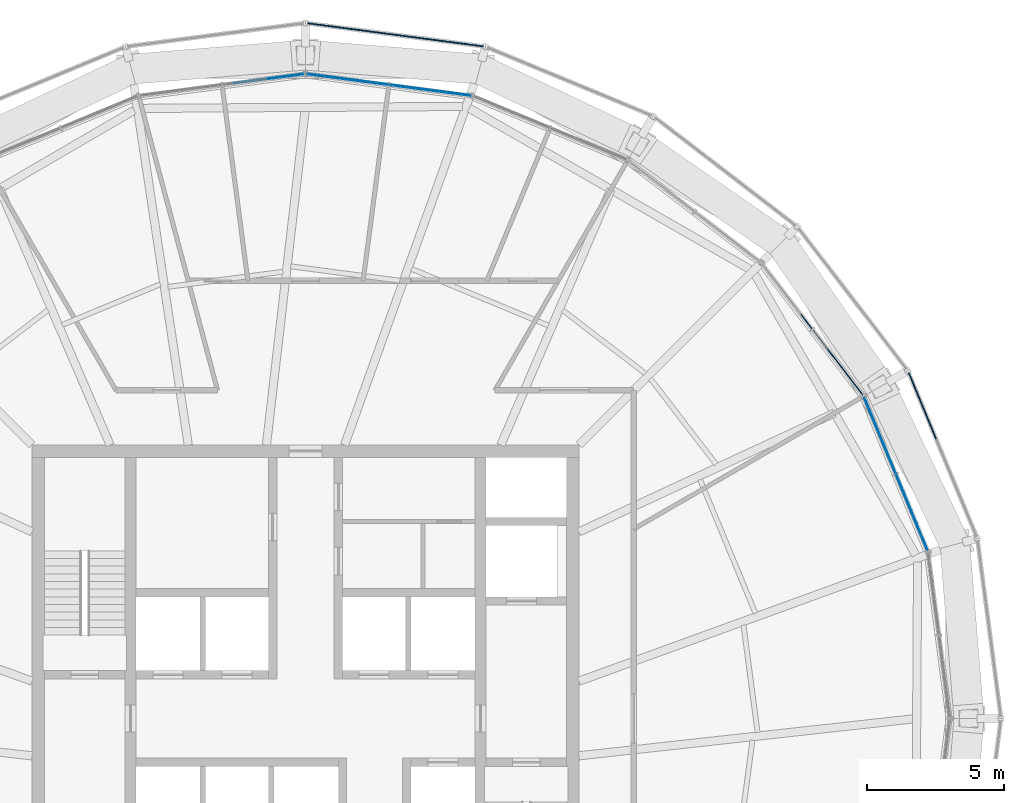
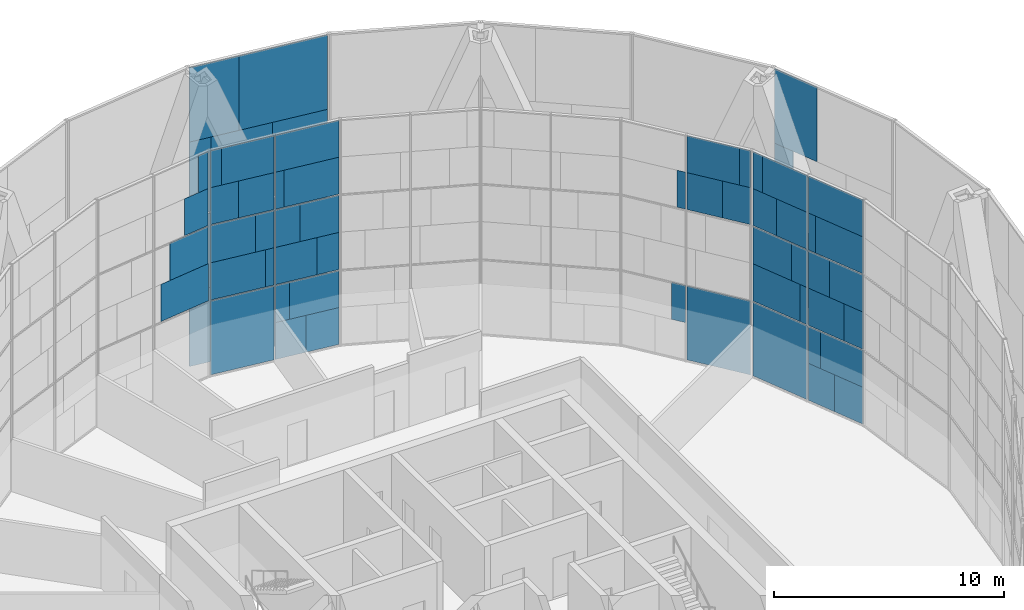
# One storey, part 21 of 26: 64 plates, 6 elements without a shape of their own.
"""IFC4 building model written with IfcOpenShell, lengths in metres."""

from ifc_helpers import new_model, si_unit, direction, frame, origin, origin_2d, place, context, subcontext, project, spatial, rectangle, extrude, material, layer, layer_set, type_object, element, aggregate, save


model = new_model("IFC4")

# Units and contexts
model_context = context("Model", 3, precision=1e-05, world=origin(), true_north=direction((0.0, 1.0)))
body_context = subcontext(model_context, "Body", "Model", "MODEL_VIEW")
ifc_project = project(units=[si_unit("LENGTHUNIT", "METRE"), si_unit("AREAUNIT", "SQUARE_METRE"), si_unit("VOLUMEUNIT", "CUBIC_METRE"), si_unit("PLANEANGLEUNIT", "RADIAN"), si_unit("MASSUNIT", "GRAM", prefix="KILO")], contexts=[model_context])

# Site, building, storey
site_placement = place(None, origin())
site = spatial("IfcSite", under=ifc_project, at=site_placement, CompositionType="ELEMENT")
building_placement = place(site_placement, origin())
building = spatial("IfcBuilding", under=site, at=building_placement, Name="Golbaran Civic Tower", CompositionType="ELEMENT")
storey_placement = place(building_placement, frame((0.0, 0.0, 199.0)))
storey = spatial("IfcBuildingStorey", under=building, at=storey_placement, Name="L48", CompositionType="ELEMENT", Elevation=199.0)

# Curtain wall, plates
ifc_material_1 = material(Name="Aluminium and glass", Category="aluminium")
curtain_wall_type_1 = type_object("IfcCurtainWallType", Name="INNER SKIN CURTAIN WALL EXECUTIVE", PredefinedType="NOTDEFINED", material=ifc_material_1)
curtain_wall_1_placement = place(storey_placement, origin())
curtain_wall_1 = element("IfcCurtainWall", 1, at=curtain_wall_1_placement, inside=storey, type_object=curtain_wall_type_1, Name="Inner skin L48 facet 2 CW2", ObjectType="INNER SKIN", PredefinedType="USERDEFINED")
ifc_material_2 = material(Name="Clear insulating glass", Category="glass")
ifc_layer_1 = layer(ifc_material_2, 0.031982421875, Name="Clear insulating glass")
ifc_layer_set_1 = layer_set([ifc_layer_1], Name="Clear insulating glass")
plate_type_1 = type_object("IfcPlateType", Name="INNER SKIN CURTAIN WALL EXECUTIVE GLAZED PANEL", PredefinedType="CURTAIN_PANEL", material=ifc_layer_set_1)
plate_1_placement = place(storey_placement, frame((21.87255859375, 8.251708984375, 0.06005859375), z_axis=(0.0, 0.0, 1.0), x_axis=(-0.382683432349, 0.923879532518, 0.0)))
plate_1 = element("IfcPlate", 2, at=plate_1_placement, type_object=plate_type_1, Name="CW2 panel 1.1 part 2", PredefinedType="CURTAIN_PANEL", context=body_context, shape_type="SweptSolid", body=[
    extrude(rectangle(XDim=1.43310546875, YDim=0.031982421875, at=origin_2d()), origin(), (0.0, 0.0, 1.0), 1.955078125),
])
plate_2_placement = place(storey_placement, frame((21.723388671875, 8.611572265625, 2.014892578125), z_axis=(0.0, 0.0, 1.0), x_axis=(-0.382683432349, 0.923879532518, 0.0)))
plate_2 = element("IfcPlate", 3, at=plate_2_placement, type_object=plate_type_1, Name="CW2 panel 1.1 part 4", PredefinedType="CURTAIN_PANEL", context=body_context, shape_type="SweptSolid", body=[
    extrude(rectangle(XDim=0.654052734375, YDim=0.031982421875, at=origin_2d()), origin(), (0.0, 0.0, 1.0), 1.955078125),
])
plate_3_placement = place(storey_placement, frame((22.54248046875, 6.634033203125, 4.02978515625), z_axis=(0.0, 0.0, 1.0), x_axis=(-0.382683432349, 0.923879532518, 0.0)))
plate_3 = element("IfcPlate", 4, at=plate_3_placement, type_object=plate_type_1, Name="CW2 panel 1.2 part 1", PredefinedType="CURTAIN_PANEL", context=body_context, shape_type="SweptSolid", body=[
    extrude(rectangle(XDim=1.037109375, YDim=0.031982421875, at=origin_2d()), origin(), (0.0, 0.0, 1.0), 1.969970703125),
])
plate_4_placement = place(storey_placement, frame((22.392333984375, 6.99658203125, 6.0), z_axis=(0.0, 0.0, 1.0), x_axis=(-0.382683432349, 0.923879532518, 0.0)))
plate_4 = element("IfcPlate", 5, at=plate_4_placement, type_object=plate_type_1, Name="CW2 panel 1.2 part 3", PredefinedType="CURTAIN_PANEL", context=body_context, shape_type="SweptSolid", body=[
    extrude(rectangle(XDim=1.822021484375, YDim=0.031982421875, at=origin_2d()), origin(), (0.0, 0.0, 1.0), 1.969970703125),
])
plate_5_placement = place(storey_placement, frame((22.246337890625, 7.34912109375, 8.030029296875), z_axis=(0.0, 0.0, 1.0), x_axis=(-0.382683432349, 0.923879532518, 0.0)))
plate_5 = element("IfcPlate", 6, at=plate_5_placement, type_object=plate_type_1, Name="CW2 panel 1.3 part 1", PredefinedType="CURTAIN_PANEL", context=body_context, shape_type="SweptSolid", body=[
    extrude(rectangle(XDim=2.5849609375, YDim=0.031982421875, at=origin_2d()), origin(), (0.0, 0.0, 1.0), 1.955078125),
])
plate_6_placement = place(storey_placement, frame((22.169677734375, 7.534423828125, 9.98486328125), z_axis=(0.0, 0.0, 1.0), x_axis=(-0.382683432349, 0.923879532518, 0.0)))
plate_6 = element("IfcPlate", 7, at=plate_6_placement, type_object=plate_type_1, Name="CW2 panel 1.3 part 3", PredefinedType="CURTAIN_PANEL", context=body_context, shape_type="SweptSolid", body=[
    extrude(rectangle(XDim=2.986083984375, YDim=0.031982421875, at=origin_2d()), origin(), (0.0, 0.0, 1.0), 1.955078125),
])
plate_7_placement = place(storey_placement, frame((21.00390625, 10.3486328125, 0.06005859375), z_axis=(0.0, 0.0, 1.0), x_axis=(-0.382683432349, 0.923879532518, 0.0)))
plate_7 = element("IfcPlate", 8, at=plate_7_placement, type_object=plate_type_1, Name="CW2 panel 2.1", PredefinedType="CURTAIN_PANEL", context=body_context, shape_type="SweptSolid", body=[
    extrude(rectangle(XDim=2.986083984375, YDim=0.031982421875, at=origin_2d()), origin(), (0.0, 0.0, 1.0), 3.909912109375),
])
plate_8_placement = place(storey_placement, frame((20.927490234375, 10.533447265625, 4.02978515625), z_axis=(0.0, 0.0, 1.0), x_axis=(-0.382683432349, 0.923879532518, 0.0)))
plate_8 = element("IfcPlate", 9, at=plate_8_placement, type_object=plate_type_1, Name="CW2 panel 2.2 part 2", PredefinedType="CURTAIN_PANEL", context=body_context, shape_type="SweptSolid", body=[
    extrude(rectangle(XDim=2.586181640625, YDim=0.031982421875, at=origin_2d()), origin(), (0.0, 0.0, 1.0), 1.969970703125),
])
plate_9_placement = place(storey_placement, frame((20.835693359375, 10.754638671875, 6.0), z_axis=(0.0, 0.0, 1.0), x_axis=(-0.382683432349, 0.923879532518, 0.0)))
plate_9 = element("IfcPlate", 10, at=plate_9_placement, type_object=plate_type_1, Name="CW2 panel 2.2 part 4", PredefinedType="CURTAIN_PANEL", context=body_context, shape_type="SweptSolid", body=[
    extrude(rectangle(XDim=2.107177734375, YDim=0.031982421875, at=origin_2d()), origin(), (0.0, 0.0, 1.0), 1.969970703125),
])
plate_10_placement = place(storey_placement, frame((20.68212890625, 11.125732421875, 8.030029296875), z_axis=(0.0, 0.0, 1.0), x_axis=(-0.382683432349, 0.923879532518, 0.0)))
plate_10 = element("IfcPlate", 11, at=plate_10_placement, type_object=plate_type_1, Name="CW2 panel 2.3 part 2", PredefinedType="CURTAIN_PANEL", context=body_context, shape_type="SweptSolid", body=[
    extrude(rectangle(XDim=1.30419921875, YDim=0.031982421875, at=origin_2d()), origin(), (0.0, 0.0, 1.0), 1.955078125),
])
plate_11_placement = place(storey_placement, frame((20.532958984375, 11.485595703125, 9.98486328125), z_axis=(0.0, 0.0, 1.0), x_axis=(-0.382683432349, 0.923879532518, 0.0)))
plate_11 = element("IfcPlate", 12, at=plate_11_placement, type_object=plate_type_1, Name="CW2 panel 2.3 part 4", PredefinedType="CURTAIN_PANEL", context=body_context, shape_type="SweptSolid", body=[
    extrude(rectangle(XDim=0.525146484375, YDim=0.031982421875, at=origin_2d()), origin(), (0.0, 0.0, 1.0), 1.955078125),
])

curtain_wall_2_placement = place(storey_placement, origin())
curtain_wall_2 = element("IfcCurtainWall", 13, at=curtain_wall_2_placement, inside=storey, type_object=curtain_wall_type_1, Name="Inner skin L48 facet 3 CW2", ObjectType="INNER SKIN", PredefinedType="USERDEFINED")
plate_12_placement = place(storey_placement, frame((19.464111328125, 13.015625, 0.06005859375), z_axis=(0.0, 0.0, 1.0), x_axis=(-0.60876142905, 0.793353340259, 0.0)))
plate_12 = element("IfcPlate", 14, at=plate_12_placement, type_object=plate_type_1, Name="CW2 panel 1.1", PredefinedType="CURTAIN_PANEL", context=body_context, shape_type="SweptSolid", body=[
    extrude(rectangle(XDim=2.986083984375, YDim=0.031982421875, at=origin_2d()), origin(), (0.0, 0.0, 1.0), 3.909912109375),
])
plate_13_placement = place(storey_placement, frame((19.97607421875, 12.348388671875, 8.030029296875), z_axis=(0.0, 0.0, 1.0), x_axis=(-0.60876142905, 0.793353340259, 0.0)))
plate_13 = element("IfcPlate", 15, at=plate_13_placement, type_object=plate_type_1, Name="CW2 panel 1.3 part 1", PredefinedType="CURTAIN_PANEL", context=body_context, shape_type="SweptSolid", body=[
    extrude(rectangle(XDim=1.303955078125, YDim=0.031982421875, at=origin_2d()), origin(), (0.0, 0.0, 1.0), 1.955078125),
])
plate_14_placement = place(storey_placement, frame((20.21337890625, 12.039306640625, 9.98486328125), z_axis=(0.0, 0.0, 1.0), x_axis=(-0.60876142905, 0.793353340259, 0.0)))
plate_14 = element("IfcPlate", 16, at=plate_14_placement, type_object=plate_type_1, Name="CW2 panel 1.3 part 3", PredefinedType="CURTAIN_PANEL", context=body_context, shape_type="SweptSolid", body=[
    extrude(rectangle(XDim=0.52490234375, YDim=0.031982421875, at=origin_2d()), origin(), (0.0, 0.0, 1.0), 1.955078125),
])
plate_15_placement = place(storey_placement, frame((18.319580078125, 14.507080078125, 2.014892578125), z_axis=(0.0, 0.0, 1.0), x_axis=(-0.60876142905, 0.793353340259, 0.0)))
plate_15 = element("IfcPlate", 17, at=plate_15_placement, type_object=plate_type_1, Name="CW2 panel 2.1 part 3", PredefinedType="CURTAIN_PANEL", context=body_context, shape_type="SweptSolid", body=[
    extrude(rectangle(XDim=0.654052734375, YDim=0.031982421875, at=origin_2d()), origin(), (0.0, 0.0, 1.0), 1.955078125),
])

curtain_wall_3_placement = place(storey_placement, origin())
curtain_wall_3 = element("IfcCurtainWall", 18, at=curtain_wall_3_placement, inside=storey, type_object=curtain_wall_type_1, Name="Inner skin L48 facet 6 CW2", ObjectType="INNER SKIN", PredefinedType="USERDEFINED")
plate_16_placement = place(storey_placement, frame((3.7900390625, 23.068115234375, 0.06005859375), z_axis=(0.0, 0.0, 1.0), x_axis=(-0.991444861372, 0.130526192237, 0.0)))
plate_16 = element("IfcPlate", 19, at=plate_16_placement, type_object=plate_type_1, Name="CW2 panel 1.1 part 2", PredefinedType="CURTAIN_PANEL", context=body_context, shape_type="SweptSolid", body=[
    extrude(rectangle(XDim=1.43310546875, YDim=0.031982421875, at=origin_2d()), origin(), (0.0, 0.0, 1.0), 1.955078125),
])
plate_17_placement = place(storey_placement, frame((3.40380859375, 23.118896484375, 2.014892578125), z_axis=(0.0, 0.0, 1.0), x_axis=(-0.991444861372, 0.130526192237, 0.0)))
plate_17 = element("IfcPlate", 20, at=plate_17_placement, type_object=plate_type_1, Name="CW2 panel 1.1 part 4", PredefinedType="CURTAIN_PANEL", context=body_context, shape_type="SweptSolid", body=[
    extrude(rectangle(XDim=0.654052734375, YDim=0.031982421875, at=origin_2d()), origin(), (0.0, 0.0, 1.0), 1.955078125),
])
plate_18_placement = place(storey_placement, frame((5.526123046875, 22.839599609375, 4.02978515625), z_axis=(0.0, 0.0, 1.0), x_axis=(-0.991444861372, 0.130526192237, 0.0)))
plate_18 = element("IfcPlate", 21, at=plate_18_placement, type_object=plate_type_1, Name="CW2 panel 1.2 part 1", PredefinedType="CURTAIN_PANEL", context=body_context, shape_type="SweptSolid", body=[
    extrude(rectangle(XDim=1.037109375, YDim=0.031982421875, at=origin_2d()), origin(), (0.0, 0.0, 1.0), 1.969970703125),
])
plate_19_placement = place(storey_placement, frame((5.136962890625, 22.890625, 6.0), z_axis=(0.0, 0.0, 1.0), x_axis=(-0.991444861372, 0.130526192237, 0.0)))
plate_19 = element("IfcPlate", 22, at=plate_19_placement, type_object=plate_type_1, Name="CW2 panel 1.2 part 3", PredefinedType="CURTAIN_PANEL", context=body_context, shape_type="SweptSolid", body=[
    extrude(rectangle(XDim=1.822021484375, YDim=0.031982421875, at=origin_2d()), origin(), (0.0, 0.0, 1.0), 1.969970703125),
])
plate_20_placement = place(storey_placement, frame((4.758544921875, 22.9404296875, 8.030029296875), z_axis=(0.0, 0.0, 1.0), x_axis=(-0.991444861372, 0.130526192237, 0.0)))
plate_20 = element("IfcPlate", 23, at=plate_20_placement, type_object=plate_type_1, Name="CW2 panel 1.3 part 1", PredefinedType="CURTAIN_PANEL", context=body_context, shape_type="SweptSolid", body=[
    extrude(rectangle(XDim=2.5849609375, YDim=0.031982421875, at=origin_2d()), origin(), (0.0, 0.0, 1.0), 1.955078125),
])
plate_21_placement = place(storey_placement, frame((4.559814453125, 22.966796875, 9.98486328125), z_axis=(0.0, 0.0, 1.0), x_axis=(-0.991444861372, 0.130526192237, 0.0)))
plate_21 = element("IfcPlate", 24, at=plate_21_placement, type_object=plate_type_1, Name="CW2 panel 1.3 part 3", PredefinedType="CURTAIN_PANEL", context=body_context, shape_type="SweptSolid", body=[
    extrude(rectangle(XDim=2.986083984375, YDim=0.031982421875, at=origin_2d()), origin(), (0.0, 0.0, 1.0), 1.955078125),
])
plate_22_placement = place(storey_placement, frame((1.539794921875, 23.3642578125, 0.06005859375), z_axis=(0.0, 0.0, 1.0), x_axis=(-0.991444861372, 0.130526192237, 0.0)))
plate_22 = element("IfcPlate", 25, at=plate_22_placement, type_object=plate_type_1, Name="CW2 panel 2.1", PredefinedType="CURTAIN_PANEL", context=body_context, shape_type="SweptSolid", body=[
    extrude(rectangle(XDim=2.986083984375, YDim=0.031982421875, at=origin_2d()), origin(), (0.0, 0.0, 1.0), 3.909912109375),
])
plate_23_placement = place(storey_placement, frame((1.341552734375, 23.390380859375, 4.02978515625), z_axis=(0.0, 0.0, 1.0), x_axis=(-0.991444861372, 0.130526192237, 0.0)))
plate_23 = element("IfcPlate", 26, at=plate_23_placement, type_object=plate_type_1, Name="CW2 panel 2.2 part 2", PredefinedType="CURTAIN_PANEL", context=body_context, shape_type="SweptSolid", body=[
    extrude(rectangle(XDim=2.586181640625, YDim=0.031982421875, at=origin_2d()), origin(), (0.0, 0.0, 1.0), 1.969970703125),
])
plate_24_placement = place(storey_placement, frame((1.10400390625, 23.421630859375, 6.0), z_axis=(0.0, 0.0, 1.0), x_axis=(-0.991444861372, 0.130526192237, 0.0)))
plate_24 = element("IfcPlate", 27, at=plate_24_placement, type_object=plate_type_1, Name="CW2 panel 2.2 part 4", PredefinedType="CURTAIN_PANEL", context=body_context, shape_type="SweptSolid", body=[
    extrude(rectangle(XDim=2.107177734375, YDim=0.031982421875, at=origin_2d()), origin(), (0.0, 0.0, 1.0), 1.969970703125),
])
plate_25_placement = place(storey_placement, frame((0.7060546875, 23.47412109375, 8.030029296875), z_axis=(0.0, 0.0, 1.0), x_axis=(-0.991444861372, 0.130526192237, 0.0)))
plate_25 = element("IfcPlate", 28, at=plate_25_placement, type_object=plate_type_1, Name="CW2 panel 2.3 part 2", PredefinedType="CURTAIN_PANEL", context=body_context, shape_type="SweptSolid", body=[
    extrude(rectangle(XDim=1.30419921875, YDim=0.031982421875, at=origin_2d()), origin(), (0.0, 0.0, 1.0), 1.955078125),
])
plate_26_placement = place(storey_placement, frame((0.31982421875, 23.52490234375, 9.98486328125), z_axis=(0.0, 0.0, 1.0), x_axis=(-0.991444861372, 0.130526192237, 0.0)))
plate_26 = element("IfcPlate", 29, at=plate_26_placement, type_object=plate_type_1, Name="CW2 panel 2.3 part 4", PredefinedType="CURTAIN_PANEL", context=body_context, shape_type="SweptSolid", body=[
    extrude(rectangle(XDim=0.525146484375, YDim=0.031982421875, at=origin_2d()), origin(), (0.0, 0.0, 1.0), 1.955078125),
])

curtain_wall_4_placement = place(storey_placement, origin())
curtain_wall_4 = element("IfcCurtainWall", 30, at=curtain_wall_4_placement, inside=storey, type_object=curtain_wall_type_1, Name="Inner skin L48 facet 7 CW2", ObjectType="INNER SKIN", PredefinedType="USERDEFINED")
plate_27_placement = place(storey_placement, frame((-1.3408203125, 23.390380859375, 4.02978515625), z_axis=(0.0, 0.0, 1.0), x_axis=(-0.991444861372, -0.130526192237, 0.0)))
plate_27 = element("IfcPlate", 31, at=plate_27_placement, type_object=plate_type_1, Name="CW2 panel 1.2 part 1", PredefinedType="CURTAIN_PANEL", context=body_context, shape_type="SweptSolid", body=[
    extrude(rectangle(XDim=2.5849609375, YDim=0.031982421875, at=origin_2d()), origin(), (0.0, 0.0, 1.0), 1.969970703125),
])
plate_28_placement = place(storey_placement, frame((-1.10400390625, 23.421630859375, 6.0), z_axis=(0.0, 0.0, 1.0), x_axis=(-0.991444861372, -0.130526192237, 0.0)))
plate_28 = element("IfcPlate", 32, at=plate_28_placement, type_object=plate_type_1, Name="CW2 panel 1.2 part 3", PredefinedType="CURTAIN_PANEL", context=body_context, shape_type="SweptSolid", body=[
    extrude(rectangle(XDim=2.10693359375, YDim=0.031982421875, at=origin_2d()), origin(), (0.0, 0.0, 1.0), 1.969970703125),
])
plate_29_placement = place(storey_placement, frame((-0.705810546875, 23.47412109375, 8.030029296875), z_axis=(0.0, 0.0, 1.0), x_axis=(-0.991444861372, -0.130526192237, 0.0)))
plate_29 = element("IfcPlate", 33, at=plate_29_placement, type_object=plate_type_1, Name="CW2 panel 1.3 part 1", PredefinedType="CURTAIN_PANEL", context=body_context, shape_type="SweptSolid", body=[
    extrude(rectangle(XDim=1.303955078125, YDim=0.031982421875, at=origin_2d()), origin(), (0.0, 0.0, 1.0), 1.955078125),
])
plate_30_placement = place(storey_placement, frame((-0.31982421875, 23.52490234375, 9.98486328125), z_axis=(0.0, 0.0, 1.0), x_axis=(-0.991444861372, -0.130526192237, 0.0)))
plate_30 = element("IfcPlate", 34, at=plate_30_placement, type_object=plate_type_1, Name="CW2 panel 1.3 part 3", PredefinedType="CURTAIN_PANEL", context=body_context, shape_type="SweptSolid", body=[
    extrude(rectangle(XDim=0.52490234375, YDim=0.031982421875, at=origin_2d()), origin(), (0.0, 0.0, 1.0), 1.955078125),
])
aggregate(curtain_wall_4, [plate_27, plate_28, plate_29, plate_30])

# Plate
ifc_material_3 = material(Name="Aluminium faced opaque infill panel", Category="aluminium")
ifc_layer_2 = layer(ifc_material_3, 0.031982421875, Name="Aluminium faced opaque infill panel")
ifc_layer_set_2 = layer_set([ifc_layer_2], Name="Aluminium faced opaque infill panel")
plate_type_2 = type_object("IfcPlateType", Name="INNER SKIN CURTAIN WALL EXECUTIVE OPAQUE INFILL PANEL", PredefinedType="CURTAIN_PANEL", material=ifc_layer_set_2)
plate_31_placement = place(storey_placement, frame((22.44384765625, 6.872314453125, 0.06005859375), z_axis=(0.0, 0.0, 1.0), x_axis=(-0.382683432349, 0.923879532518, 0.0)))
plate_31 = element("IfcPlate", 35, at=plate_31_placement, type_object=plate_type_2, Name="CW2 infill panel 1.1 part 1", PredefinedType="CURTAIN_PANEL", context=body_context, shape_type="SweptSolid", body=[
    extrude(rectangle(XDim=1.552978515625, YDim=0.031982421875, at=origin_2d()), origin(), (0.0, 0.0, 1.0), 1.955078125),
])

plate_32_placement = place(storey_placement, frame((22.294921875, 7.232177734375, 2.014892578125), z_axis=(0.0, 0.0, 1.0), x_axis=(-0.382683432349, 0.923879532518, 0.0)))
plate_32 = element("IfcPlate", 36, at=plate_32_placement, type_object=plate_type_2, Name="CW2 infill panel 1.1 part 3", PredefinedType="CURTAIN_PANEL", context=body_context, shape_type="SweptSolid", body=[
    extrude(rectangle(XDim=2.33203125, YDim=0.031982421875, at=origin_2d()), origin(), (0.0, 0.0, 1.0), 1.955078125),
])

plate_33_placement = place(storey_placement, frame((21.97119140625, 8.013427734375, 4.02978515625), z_axis=(0.0, 0.0, 1.0), x_axis=(-0.382683432349, 0.923879532518, 0.0)))
plate_33 = element("IfcPlate", 37, at=plate_33_placement, type_object=plate_type_2, Name="CW2 infill panel 1.2 part 2", PredefinedType="CURTAIN_PANEL", context=body_context, shape_type="SweptSolid", body=[
    extrude(rectangle(XDim=1.94921875, YDim=0.031982421875, at=origin_2d()), origin(), (0.0, 0.0, 1.0), 1.969970703125),
])

plate_34_placement = place(storey_placement, frame((21.821044921875, 8.3759765625, 6.0), z_axis=(0.0, 0.0, 1.0), x_axis=(-0.382683432349, 0.923879532518, 0.0)))
plate_34 = element("IfcPlate", 38, at=plate_34_placement, type_object=plate_type_2, Name="CW2 infill panel 1.2 part 4", PredefinedType="CURTAIN_PANEL", context=body_context, shape_type="SweptSolid", body=[
    extrude(rectangle(XDim=1.1640625, YDim=0.031982421875, at=origin_2d()), origin(), (0.0, 0.0, 1.0), 1.969970703125),
])

plate_35_placement = place(storey_placement, frame((21.675048828125, 8.728515625, 8.030029296875), z_axis=(0.0, 0.0, 1.0), x_axis=(-0.382683432349, 0.923879532518, 0.0)))
plate_35 = element("IfcPlate", 39, at=plate_35_placement, type_object=plate_type_2, Name="CW2 infill panel 1.3 part 2", PredefinedType="CURTAIN_PANEL", context=body_context, shape_type="SweptSolid", body=[
    extrude(rectangle(XDim=0.401123046875, YDim=0.031982421875, at=origin_2d()), origin(), (0.0, 0.0, 1.0), 1.955078125),
])

plate_36_placement = place(storey_placement, frame((21.498779296875, 9.154052734375, 4.02978515625), z_axis=(0.0, 0.0, 1.0), x_axis=(-0.382683432349, 0.923879532518, 0.0)))
plate_36 = element("IfcPlate", 40, at=plate_36_placement, type_object=plate_type_2, Name="CW2 infill panel 2.2 part 1", PredefinedType="CURTAIN_PANEL", context=body_context, shape_type="SweptSolid", body=[
    extrude(rectangle(XDim=0.39990234375, YDim=0.031982421875, at=origin_2d()), origin(), (0.0, 0.0, 1.0), 1.969970703125),
])

plate_37_placement = place(storey_placement, frame((21.4072265625, 9.375244140625, 6.0), z_axis=(0.0, 0.0, 1.0), x_axis=(-0.382683432349, 0.923879532518, 0.0)))
plate_37 = element("IfcPlate", 41, at=plate_37_placement, type_object=plate_type_2, Name="CW2 infill panel 2.2 part 3", PredefinedType="CURTAIN_PANEL", context=body_context, shape_type="SweptSolid", body=[
    extrude(rectangle(XDim=0.87890625, YDim=0.031982421875, at=origin_2d()), origin(), (0.0, 0.0, 1.0), 1.969970703125),
])

plate_38_placement = place(storey_placement, frame((21.25341796875, 9.746337890625, 8.030029296875), z_axis=(0.0, 0.0, 1.0), x_axis=(-0.382683432349, 0.923879532518, 0.0)))
plate_38 = element("IfcPlate", 42, at=plate_38_placement, type_object=plate_type_2, Name="CW2 infill panel 2.3 part 1", PredefinedType="CURTAIN_PANEL", context=body_context, shape_type="SweptSolid", body=[
    extrude(rectangle(XDim=1.681884765625, YDim=0.031982421875, at=origin_2d()), origin(), (0.0, 0.0, 1.0), 1.955078125),
])

plate_39_placement = place(storey_placement, frame((21.1044921875, 10.106201171875, 9.98486328125), z_axis=(0.0, 0.0, 1.0), x_axis=(-0.382683432349, 0.923879532518, 0.0)))
plate_39 = element("IfcPlate", 43, at=plate_39_placement, type_object=plate_type_2, Name="CW2 infill panel 2.3 part 3", PredefinedType="CURTAIN_PANEL", context=body_context, shape_type="SweptSolid", body=[
    extrude(rectangle(XDim=2.4609375, YDim=0.031982421875, at=origin_2d()), origin(), (0.0, 0.0, 1.0), 1.955078125),
])

aggregate(curtain_wall_1, [plate_31, plate_1, plate_32, plate_2, plate_3, plate_33, plate_4, plate_34, plate_5, plate_35, plate_6, plate_7, plate_36, plate_8, plate_37, plate_9, plate_38, plate_10, plate_39, plate_11])

plate_40_placement = place(storey_placement, frame((19.0673828125, 13.532958984375, 8.030029296875), z_axis=(0.0, 0.0, 1.0), x_axis=(-0.60876142905, 0.793353340259, 0.0)))
plate_40 = element("IfcPlate", 44, at=plate_40_placement, type_object=plate_type_2, Name="CW2 infill panel 1.3 part 2", PredefinedType="CURTAIN_PANEL", context=body_context, shape_type="SweptSolid", body=[
    extrude(rectangle(XDim=1.68212890625, YDim=0.031982421875, at=origin_2d()), origin(), (0.0, 0.0, 1.0), 1.955078125),
])

plate_41_placement = place(storey_placement, frame((19.304443359375, 13.223876953125, 9.98486328125), z_axis=(0.0, 0.0, 1.0), x_axis=(-0.60876142905, 0.793353340259, 0.0)))
plate_41 = element("IfcPlate", 45, at=plate_41_placement, type_object=plate_type_2, Name="CW2 infill panel 1.3 part 4", PredefinedType="CURTAIN_PANEL", context=body_context, shape_type="SweptSolid", body=[
    extrude(rectangle(XDim=2.461181640625, YDim=0.031982421875, at=origin_2d()), origin(), (0.0, 0.0, 1.0), 1.955078125),
])

plate_42_placement = place(storey_placement, frame((18.39697265625, 14.406494140625, 8.030029296875), z_axis=(0.0, 0.0, 1.0), x_axis=(-0.60876142905, 0.793353340259, 0.0)))
plate_42 = element("IfcPlate", 46, at=plate_42_placement, type_object=plate_type_2, Name="CW2 infill panel 2.3 part 1", PredefinedType="CURTAIN_PANEL", context=body_context, shape_type="SweptSolid", body=[
    extrude(rectangle(XDim=0.39990234375, YDim=0.031982421875, at=origin_2d()), origin(), (0.0, 0.0, 1.0), 1.955078125),
])

aggregate(curtain_wall_2, [plate_12, plate_13, plate_40, plate_14, plate_41, plate_15, plate_42])

plate_43_placement = place(storey_placement, frame((5.270263671875, 22.873046875, 0.06005859375), z_axis=(0.0, 0.0, 1.0), x_axis=(-0.991444861372, 0.130526192237, 0.0)))
plate_43 = element("IfcPlate", 47, at=plate_43_placement, type_object=plate_type_2, Name="CW2 infill panel 1.1 part 1", PredefinedType="CURTAIN_PANEL", context=body_context, shape_type="SweptSolid", body=[
    extrude(rectangle(XDim=1.552978515625, YDim=0.031982421875, at=origin_2d()), origin(), (0.0, 0.0, 1.0), 1.955078125),
])

plate_44_placement = place(storey_placement, frame((4.884033203125, 22.924072265625, 2.014892578125), z_axis=(0.0, 0.0, 1.0), x_axis=(-0.991444861372, 0.130526192237, 0.0)))
plate_44 = element("IfcPlate", 48, at=plate_44_placement, type_object=plate_type_2, Name="CW2 infill panel 1.1 part 3", PredefinedType="CURTAIN_PANEL", context=body_context, shape_type="SweptSolid", body=[
    extrude(rectangle(XDim=2.33203125, YDim=0.031982421875, at=origin_2d()), origin(), (0.0, 0.0, 1.0), 1.955078125),
])

plate_45_placement = place(storey_placement, frame((4.045654296875, 23.034423828125, 4.02978515625), z_axis=(0.0, 0.0, 1.0), x_axis=(-0.991444861372, 0.130526192237, 0.0)))
plate_45 = element("IfcPlate", 49, at=plate_45_placement, type_object=plate_type_2, Name="CW2 infill panel 1.2 part 2", PredefinedType="CURTAIN_PANEL", context=body_context, shape_type="SweptSolid", body=[
    extrude(rectangle(XDim=1.94921875, YDim=0.031982421875, at=origin_2d()), origin(), (0.0, 0.0, 1.0), 1.969970703125),
])

plate_46_placement = place(storey_placement, frame((3.656494140625, 23.085693359375, 6.0), z_axis=(0.0, 0.0, 1.0), x_axis=(-0.991444861372, 0.130526192237, 0.0)))
plate_46 = element("IfcPlate", 50, at=plate_46_placement, type_object=plate_type_2, Name="CW2 infill panel 1.2 part 4", PredefinedType="CURTAIN_PANEL", context=body_context, shape_type="SweptSolid", body=[
    extrude(rectangle(XDim=1.1640625, YDim=0.031982421875, at=origin_2d()), origin(), (0.0, 0.0, 1.0), 1.969970703125),
])

plate_47_placement = place(storey_placement, frame((3.2783203125, 23.135498046875, 8.030029296875), z_axis=(0.0, 0.0, 1.0), x_axis=(-0.991444861372, 0.130526192237, 0.0)))
plate_47 = element("IfcPlate", 51, at=plate_47_placement, type_object=plate_type_2, Name="CW2 infill panel 1.3 part 2", PredefinedType="CURTAIN_PANEL", context=body_context, shape_type="SweptSolid", body=[
    extrude(rectangle(XDim=0.401123046875, YDim=0.031982421875, at=origin_2d()), origin(), (0.0, 0.0, 1.0), 1.955078125),
])

plate_48_placement = place(storey_placement, frame((2.82177734375, 23.195556640625, 4.02978515625), z_axis=(0.0, 0.0, 1.0), x_axis=(-0.991444861372, 0.130526192237, 0.0)))
plate_48 = element("IfcPlate", 52, at=plate_48_placement, type_object=plate_type_2, Name="CW2 infill panel 2.2 part 1", PredefinedType="CURTAIN_PANEL", context=body_context, shape_type="SweptSolid", body=[
    extrude(rectangle(XDim=0.39990234375, YDim=0.031982421875, at=origin_2d()), origin(), (0.0, 0.0, 1.0), 1.969970703125),
])

plate_49_placement = place(storey_placement, frame((2.584228515625, 23.226806640625, 6.0), z_axis=(0.0, 0.0, 1.0), x_axis=(-0.991444861372, 0.130526192237, 0.0)))
plate_49 = element("IfcPlate", 53, at=plate_49_placement, type_object=plate_type_2, Name="CW2 infill panel 2.2 part 3", PredefinedType="CURTAIN_PANEL", context=body_context, shape_type="SweptSolid", body=[
    extrude(rectangle(XDim=0.87890625, YDim=0.031982421875, at=origin_2d()), origin(), (0.0, 0.0, 1.0), 1.969970703125),
])

plate_50_placement = place(storey_placement, frame((2.186279296875, 23.279296875, 8.030029296875), z_axis=(0.0, 0.0, 1.0), x_axis=(-0.991444861372, 0.130526192237, 0.0)))
plate_50 = element("IfcPlate", 54, at=plate_50_placement, type_object=plate_type_2, Name="CW2 infill panel 2.3 part 1", PredefinedType="CURTAIN_PANEL", context=body_context, shape_type="SweptSolid", body=[
    extrude(rectangle(XDim=1.681884765625, YDim=0.031982421875, at=origin_2d()), origin(), (0.0, 0.0, 1.0), 1.955078125),
])

plate_51_placement = place(storey_placement, frame((1.800048828125, 23.330078125, 9.98486328125), z_axis=(0.0, 0.0, 1.0), x_axis=(-0.991444861372, 0.130526192237, 0.0)))
plate_51 = element("IfcPlate", 55, at=plate_51_placement, type_object=plate_type_2, Name="CW2 infill panel 2.3 part 3", PredefinedType="CURTAIN_PANEL", context=body_context, shape_type="SweptSolid", body=[
    extrude(rectangle(XDim=2.4609375, YDim=0.031982421875, at=origin_2d()), origin(), (0.0, 0.0, 1.0), 1.955078125),
])

aggregate(curtain_wall_3, [plate_43, plate_16, plate_44, plate_17, plate_18, plate_45, plate_19, plate_46, plate_20, plate_47, plate_21, plate_22, plate_48, plate_23, plate_49, plate_24, plate_50, plate_25, plate_51, plate_26])

# Curtain wall, plates
curtain_wall_type_2 = type_object("IfcCurtainWallType", Name="OUTER SKIN TERRACOTTA SCREEN", PredefinedType="NOTDEFINED", material=ifc_material_1)
curtain_wall_5_placement = place(storey_placement, origin())
curtain_wall_5 = element("IfcCurtainWall", 56, at=curtain_wall_5_placement, inside=storey, type_object=curtain_wall_type_2, Name="Outer skin L48 facet 2 CW3", ObjectType="OUTER SKIN", PredefinedType="USERDEFINED")
ifc_material_4 = material(Name="Clear laminated glass", Category="glass")
ifc_layer_3 = layer(ifc_material_4, 0.0400390625, Name="Clear laminated glass")
ifc_layer_set_3 = layer_set([ifc_layer_3], Name="Clear laminated glass")
plate_type_3 = type_object("IfcPlateType", Name="OUTER SKIN CLEAR GLASS PANEL", PredefinedType="CURTAIN_PANEL", material=ifc_layer_set_3)
plate_52_placement = place(storey_placement, frame((22.552734375, 11.43115234375, 3.31005859375), z_axis=(0.0, 0.0, 1.0), x_axis=(-0.382683432446, 0.923879532478, 0.0)))
plate_52 = element("IfcPlate", 57, at=plate_52_placement, type_object=plate_type_3, Name="CW3 panel 1.1 part 5", PredefinedType="CURTAIN_PANEL", context=body_context, shape_type="SweptSolid", body=[
    extrude(rectangle(XDim=2.616943359375, YDim=0.0400390625, at=origin_2d()), origin(), (0.0, 0.0, 1.0), 3.93994140625),
])
plate_53_placement = place(storey_placement, frame((22.24609375, 12.171142578125, 7.330078125), z_axis=(0.0, 0.0, 1.0), x_axis=(-0.382683432446, 0.923879532478, 0.0)))
plate_53 = element("IfcPlate", 58, at=plate_53_placement, type_object=plate_type_3, Name="CW3 panel 1.2 part 3", PredefinedType="CURTAIN_PANEL", context=body_context, shape_type="SweptSolid", body=[
    extrude(rectangle(XDim=1.01513671875, YDim=0.0400390625, at=origin_2d()), origin(), (0.0, 0.0, 1.0), 3.93994140625),
])

curtain_wall_6_placement = place(storey_placement, origin())
curtain_wall_6 = element("IfcCurtainWall", 59, at=curtain_wall_6_placement, inside=storey, type_object=curtain_wall_type_2, Name="Outer skin L48 facet 6 CW3", ObjectType="OUTER SKIN", PredefinedType="USERDEFINED")
plate_54_placement = place(storey_placement, frame((2.154541015625, 25.144287109375, -0.6298828125), z_axis=(0.0, 0.0, 1.0), x_axis=(-0.991444861376, 0.130526192203, 0.0)))
plate_54 = element("IfcPlate", 60, at=plate_54_placement, type_object=plate_type_3, Name="CW3 panel 1.1 part 2", PredefinedType="CURTAIN_PANEL", context=body_context, shape_type="SweptSolid", body=[
    extrude(rectangle(XDim=4.18603515625, YDim=0.0400390625, at=origin_2d()), origin(), (0.0, 0.0, 1.0), 3.93994140625),
])
plate_55_placement = place(storey_placement, frame((6.01953125, 24.635498046875, 3.31005859375), z_axis=(0.0, 0.0, 1.0), x_axis=(-0.991444861376, 0.130526192203, 0.0)))
plate_55 = element("IfcPlate", 61, at=plate_55_placement, type_object=plate_type_3, Name="CW3 panel 1.1 part 3", PredefinedType="CURTAIN_PANEL", context=body_context, shape_type="SweptSolid", body=[
    extrude(rectangle(XDim=0.972900390625, YDim=0.0400390625, at=origin_2d()), origin(), (0.0, 0.0, 1.0), 3.93994140625),
])
plate_56_placement = place(storey_placement, frame((1.376708984375, 25.246826171875, 3.31005859375), z_axis=(0.0, 0.0, 1.0), x_axis=(-0.991444861376, 0.130526192203, 0.0)))
plate_56 = element("IfcPlate", 62, at=plate_56_placement, type_object=plate_type_3, Name="CW3 panel 1.1 part 5", PredefinedType="CURTAIN_PANEL", context=body_context, shape_type="SweptSolid", body=[
    extrude(rectangle(XDim=2.616943359375, YDim=0.0400390625, at=origin_2d()), origin(), (0.0, 0.0, 1.0), 3.93994140625),
])
plate_57_placement = place(storey_placement, frame((5.224853515625, 24.740234375, 7.330078125), z_axis=(0.0, 0.0, 1.0), x_axis=(-0.991444861376, 0.130526192203, 0.0)))
plate_57 = element("IfcPlate", 63, at=plate_57_placement, type_object=plate_type_3, Name="CW3 panel 1.2 part 1", PredefinedType="CURTAIN_PANEL", context=body_context, shape_type="SweptSolid", body=[
    extrude(rectangle(XDim=2.575927734375, YDim=0.0400390625, at=origin_2d()), origin(), (0.0, 0.0, 1.0), 3.93994140625),
])
plate_58_placement = place(storey_placement, frame((0.58251953125, 25.351318359375, 7.330078125), z_axis=(0.0, 0.0, 1.0), x_axis=(-0.991444861376, 0.130526192203, 0.0)))
plate_58 = element("IfcPlate", 64, at=plate_58_placement, type_object=plate_type_3, Name="CW3 panel 1.2 part 3", PredefinedType="CURTAIN_PANEL", context=body_context, shape_type="SweptSolid", body=[
    extrude(rectangle(XDim=1.01513671875, YDim=0.0400390625, at=origin_2d()), origin(), (0.0, 0.0, 1.0), 3.93994140625),
])
plate_59_placement = place(storey_placement, frame((4.445068359375, 24.8427734375, 11.27001953125), z_axis=(0.0, 0.0, 1.0), x_axis=(-0.991444861376, 0.130526192203, 0.0)))
plate_59 = element("IfcPlate", 65, at=plate_59_placement, type_object=plate_type_3, Name="CW3 panel 1.2 part 4", PredefinedType="CURTAIN_PANEL", context=body_context, shape_type="SweptSolid", body=[
    extrude(rectangle(XDim=4.14892578125, YDim=0.0400390625, at=origin_2d()), origin(), (0.0, 0.0, 1.0), 3.93994140625),
])

# Plate
ifc_material_5 = material(Name="Terracotta baguette screen", Category="masonry")
ifc_layer_4 = layer(ifc_material_5, 0.0400390625, Name="Terracotta baguette screen")
ifc_layer_set_4 = layer_set([ifc_layer_4], Name="Terracotta baguette screen")
plate_type_4 = type_object("IfcPlateType", Name="OUTER SKIN TERRACOTTA INFILL PANEL", PredefinedType="CURTAIN_PANEL", material=ifc_layer_set_4)
plate_60_placement = place(storey_placement, frame((22.49755859375, 11.564208984375, 11.27001953125), z_axis=(0.0, 0.0, 1.0), x_axis=(-0.382683432446, 0.923879532478, 0.0)))
plate_60 = element("IfcPlate", 66, at=plate_60_placement, type_object=plate_type_4, Name="CW3 infill panel 1.2 part 5", PredefinedType="CURTAIN_PANEL", context=body_context, shape_type="SweptSolid", body=[
    extrude(rectangle(XDim=2.3291015625, YDim=0.0400390625, at=origin_2d()), origin(), (0.0, 0.0, 1.0), 3.93994140625),
])

aggregate(curtain_wall_5, [plate_52, plate_53, plate_60])

plate_61_placement = place(storey_placement, frame((5.36572265625, 24.7216796875, -0.6298828125), z_axis=(0.0, 0.0, 1.0), x_axis=(-0.991444861376, 0.130526192203, 0.0)))
plate_61 = element("IfcPlate", 67, at=plate_61_placement, type_object=plate_type_4, Name="CW3 infill panel 1.1 part 1", PredefinedType="CURTAIN_PANEL", context=body_context, shape_type="SweptSolid", body=[
    extrude(rectangle(XDim=2.2919921875, YDim=0.0400390625, at=origin_2d()), origin(), (0.0, 0.0, 1.0), 3.93994140625),
])

plate_62_placement = place(storey_placement, frame((4.105712890625, 24.887451171875, 3.31005859375), z_axis=(0.0, 0.0, 1.0), x_axis=(-0.991444861376, 0.130526192203, 0.0)))
plate_62 = element("IfcPlate", 68, at=plate_62_placement, type_object=plate_type_4, Name="CW3 infill panel 1.1 part 4", PredefinedType="CURTAIN_PANEL", context=body_context, shape_type="SweptSolid", body=[
    extrude(rectangle(XDim=2.887939453125, YDim=0.0400390625, at=origin_2d()), origin(), (0.0, 0.0, 1.0), 3.93994140625),
])

plate_63_placement = place(storey_placement, frame((2.516845703125, 25.0966796875, 7.330078125), z_axis=(0.0, 0.0, 1.0), x_axis=(-0.991444861376, 0.130526192203, 0.0)))
plate_63 = element("IfcPlate", 69, at=plate_63_placement, type_object=plate_type_4, Name="CW3 infill panel 1.2 part 2", PredefinedType="CURTAIN_PANEL", context=body_context, shape_type="SweptSolid", body=[
    extrude(rectangle(XDim=2.886962890625, YDim=0.0400390625, at=origin_2d()), origin(), (0.0, 0.0, 1.0), 3.93994140625),
])

plate_64_placement = place(storey_placement, frame((1.23388671875, 25.265625, 11.27001953125), z_axis=(0.0, 0.0, 1.0), x_axis=(-0.991444861376, 0.130526192203, 0.0)))
plate_64 = element("IfcPlate", 70, at=plate_64_placement, type_object=plate_type_4, Name="CW3 infill panel 1.2 part 5", PredefinedType="CURTAIN_PANEL", context=body_context, shape_type="SweptSolid", body=[
    extrude(rectangle(XDim=2.3291015625, YDim=0.0400390625, at=origin_2d()), origin(), (0.0, 0.0, 1.0), 3.93994140625),
])

aggregate(curtain_wall_6, [plate_61, plate_54, plate_55, plate_62, plate_56, plate_57, plate_63, plate_58, plate_59, plate_64])

save(model, "model.ifc")
